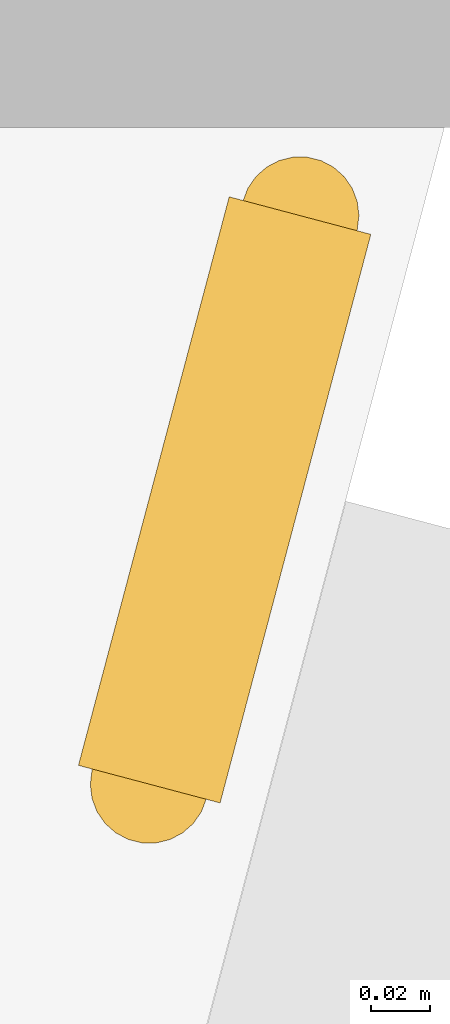
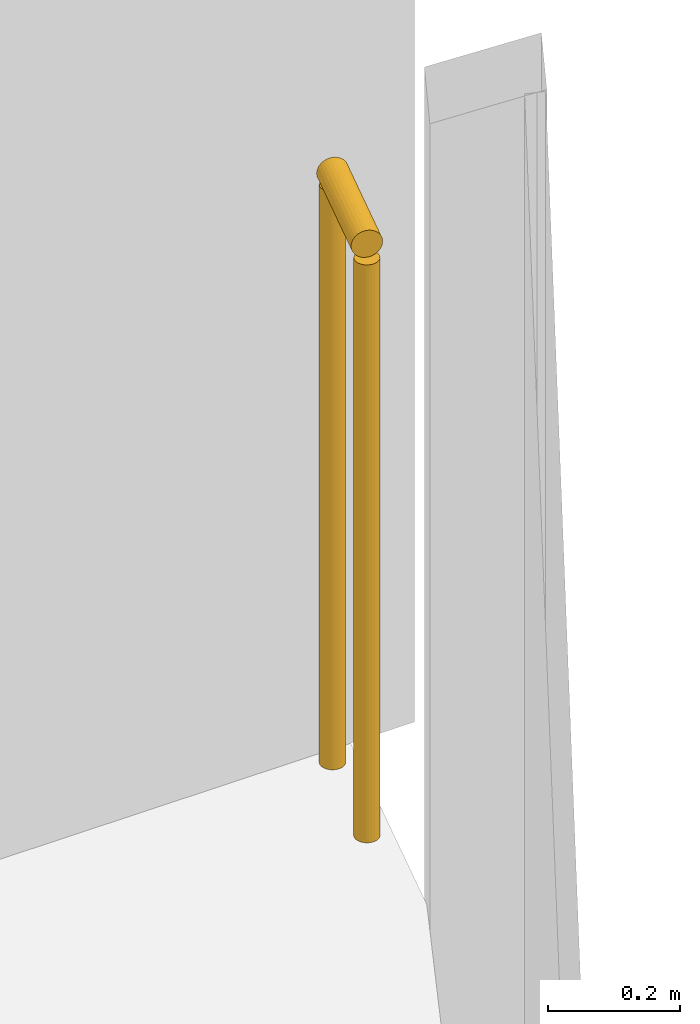
# One storey, part 33 of 34: 1 railing.
"""IFC4 building model written with IfcOpenShell, lengths in metres."""

from ifc_helpers import new_model, si_unit, direction, frame, origin, origin_2d, place, context, subcontext, project, spatial, circle, extrude, material, type_object, element, save


model = new_model("IFC4")

# Units and contexts
model_context = context("Model", 3, precision=1e-05, world=origin(), true_north=direction((0.0, 1.0)))
body_context = subcontext(model_context, "Body", "Model", "MODEL_VIEW")
ifc_project = project(units=[si_unit("LENGTHUNIT", "METRE"), si_unit("AREAUNIT", "SQUARE_METRE"), si_unit("VOLUMEUNIT", "CUBIC_METRE"), si_unit("PLANEANGLEUNIT", "RADIAN"), si_unit("MASSUNIT", "GRAM", prefix="KILO")], contexts=[model_context])

# Site, building, storey
site_placement = place(None, origin())
site = spatial("IfcSite", under=ifc_project, at=site_placement, CompositionType="ELEMENT")
building_placement = place(site_placement, origin())
building = spatial("IfcBuilding", under=site, at=building_placement, Name="Orlundy Tower", CompositionType="ELEMENT")
storey_placement = place(building_placement, frame((0.0, 0.0, 112.699951171875)))
storey = spatial("IfcBuildingStorey", under=building, at=storey_placement, Name="L28", CompositionType="ELEMENT", Elevation=112.699951171875)

# Railing
ifc_material = material(Name="Stainless steel bronze finish", Category="steel")
railing_type = type_object("IfcRailingType", Name="TG1 terrace guard", PredefinedType="GUARDRAIL", material=ifc_material)
railing_placement = place(storey_placement, frame((55.85986328125, -25.241943359375, 0.0)))
element("IfcRailing", 1, at=railing_placement, inside=storey, type_object=railing_type, Name="Guard TG-L28-E00", PredefinedType="GUARDRAIL", context=body_context, shape_type="SweptSolid", body=[
    extrude(circle(Radius=0.02490234375, at=origin_2d()), frame((0.0, 0.0, 1.09521484375), z_axis=(-0.256295080352, -0.966598588757, 0.0), x_axis=(0.966598588757, -0.256295080352, 0.0)), (0.0, 0.0, 1.0), 0.199951171875),
    extrude(circle(Radius=0.02001953125, at=origin_2d()), origin(), (0.0, 0.0, 1.0), 1.070068359375),
    extrude(circle(Radius=0.02001953125, at=origin_2d()), frame((-0.05126953125, -0.193359375, 0.0)), (0.0, 0.0, 1.0), 1.070068359375),
])

save(model, "model.ifc")
